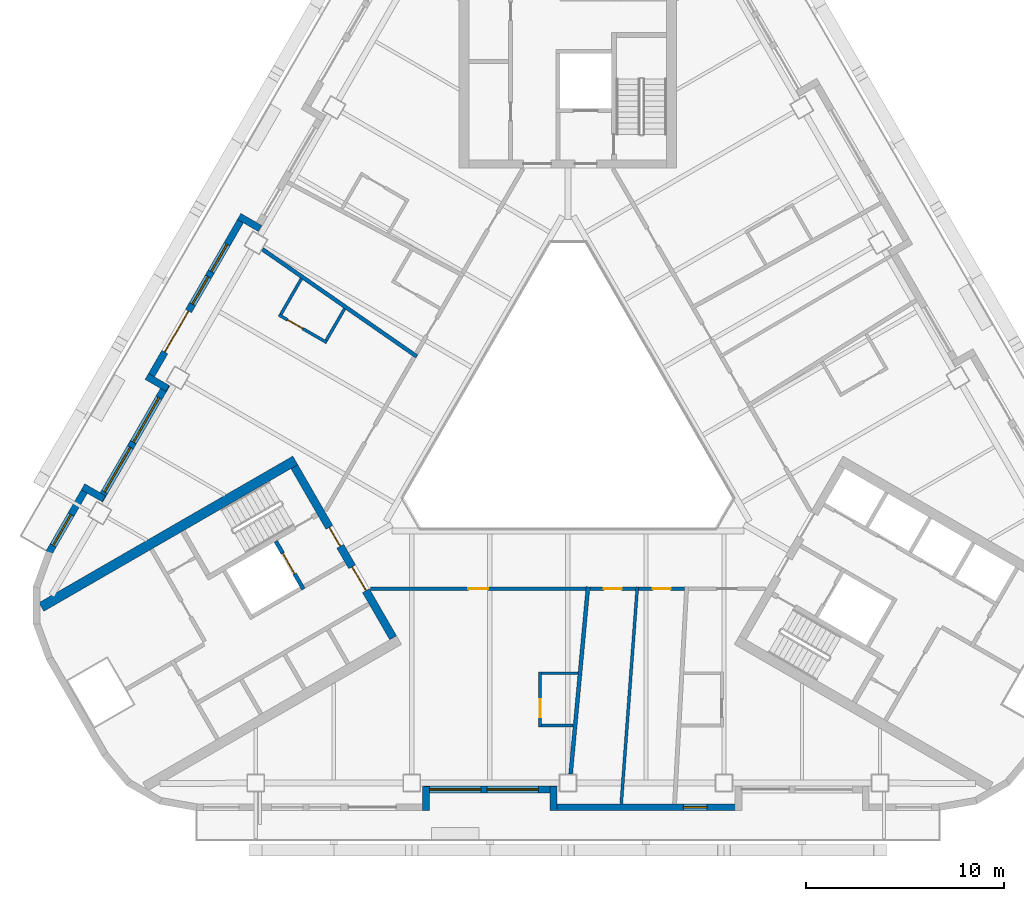
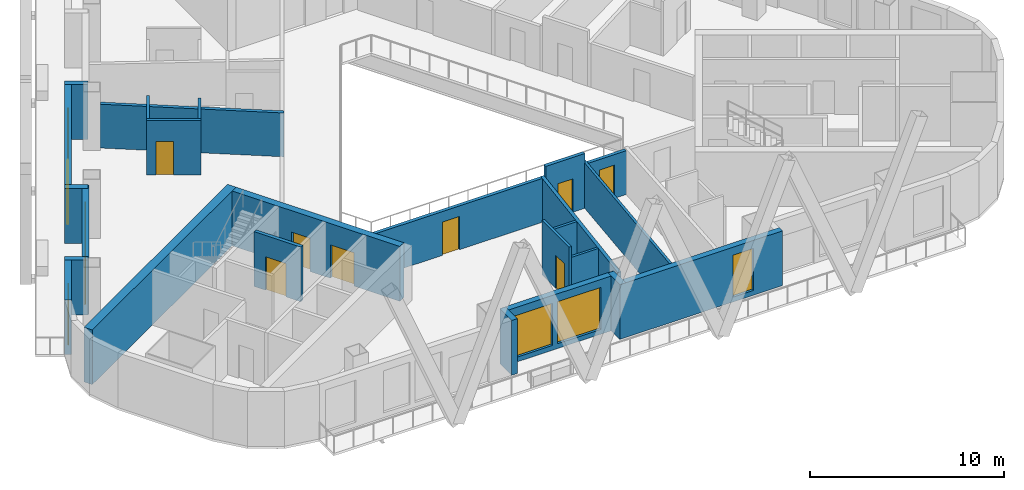
# One storey, part 3 of 13: 25 walls, 9 doors, 8 windows, 17 openings.
"""IFC4 building model written with IfcOpenShell, lengths in metres."""

from ifc_helpers import new_model, si_unit, direction, frame, frame_2d, origin, place, context, subcontext, project, spatial, rectangle, extrude, material, layer, layer_set, type_object, element, fill, save


model = new_model("IFC4")

# Units and contexts
model_context = context("Model", 3, precision=1e-05, world=origin(), true_north=direction((0.0, 1.0)))
body_context = subcontext(model_context, "Body", "Model", "MODEL_VIEW")
ifc_project = project(units=[si_unit("LENGTHUNIT", "METRE"), si_unit("AREAUNIT", "SQUARE_METRE"), si_unit("VOLUMEUNIT", "CUBIC_METRE"), si_unit("PLANEANGLEUNIT", "RADIAN"), si_unit("MASSUNIT", "GRAM", prefix="KILO")], contexts=[model_context])

# Site, building, storey
site_placement = place(None, origin())
site = spatial("IfcSite", under=ifc_project, at=site_placement, CompositionType="ELEMENT")
building_placement = place(site_placement, origin())
building = spatial("IfcBuilding", under=site, at=building_placement, Name="Apuvela Tower Hotel", CompositionType="ELEMENT")
storey_placement = place(building_placement, frame((0.0, 0.0, 127.89990234375)))
storey = spatial("IfcBuildingStorey", under=building, at=storey_placement, Name="L30", CompositionType="ELEMENT", Elevation=127.89990234375)

# Wall, openings, doors
ifc_material_1 = material(Name="Concrete C50/60", Category="concrete")
ifc_layer_1 = layer(ifc_material_1, 0.39990234375)
ifc_layer_set_1 = layer_set([ifc_layer_1], Name="COR-WALL-CORE-400")
wall_type_1 = type_object("IfcWallType", Name="COR-WALL-CORE-400", PredefinedType="SHEAR", material=ifc_layer_set_1)
wall_1_placement = place(storey_placement, frame((-13.844970703125, -2.219970703125, 0.0), z_axis=(0.0, 0.0, 1.0), x_axis=(0.500004234368, -0.866022959057, 0.0)))
wall_1 = element("IfcWall", 1, at=wall_1_placement, inside=storey, type_object=wall_type_1, Name="Core wall SW", PredefinedType="SHEAR", context=body_context, shape_type="SweptSolid", body=[
    extrude(rectangle(XDim=10.0, YDim=0.39990234375, at=frame_2d((5.0, 0.0))), origin(), (0.0, 0.0, 1.0), 3.4501953125),
])
opening_1_placement = place(wall_1_placement, frame((3.550048828125, 0.0, 0.0)))
opening_1 = element("IfcOpeningElement", 2, at=opening_1_placement, cuts=wall_1, Name="Opening W-FD", PredefinedType="OPENING", context=body_context, shape_type="SweptSolid", body=[
    extrude(rectangle(XDim=1.10009765625, YDim=2.10009765625, at=frame_2d((0.550048828125, 1.050048828125))), frame((0.0, 0.2099609375, 0.0), z_axis=(0.0, -1.0, 0.0), x_axis=(1.0, 0.0, 0.0)), (0.0, 0.0, 1.0), 0.419921875),
])
opening_2_placement = place(wall_1_placement, frame((5.85009765625, 0.0, 0.0)))
opening_2 = element("IfcOpeningElement", 3, at=opening_2_placement, cuts=wall_1, Name="Opening W-GD", PredefinedType="OPENING", context=body_context, shape_type="SweptSolid", body=[
    extrude(rectangle(XDim=1.39990234375, YDim=2.10009765625, at=frame_2d((0.699951171875, 1.050048828125))), frame((0.0, 0.2099609375, 0.0), z_axis=(0.0, -1.0, 0.0), x_axis=(1.0, 0.0, 0.0)), (0.0, 0.0, 1.0), 0.419921875),
])
ifc_material_2 = material(Name="Steel fire door, powder coated", Category="steel")
door_type_1 = type_object("IfcDoorType", Name="COR-FD-1100", OperationType="NOTDEFINED", PredefinedType="DOOR", material=ifc_material_2)
door_1_placement = place(opening_1_placement, frame((1.10009765625, 0.0, 0.0), z_axis=(0.0, 0.0, 1.0), x_axis=(-1.0, 0.0, 0.0)))
door_1 = element("IfcDoor", 4, at=door_1_placement, inside=storey, type_object=door_type_1, Name="Firefighting lobby door W-FD", OperationType="SINGLE_SWING_LEFT", OverallHeight=2.10009765625, OverallWidth=1.10009765625, PredefinedType="DOOR", context=body_context, shape_type="SweptSolid", body=[
    extrude(rectangle(XDim=1.10009765625, YDim=2.10009765625, at=frame_2d((0.550048828125, 1.050048828125))), frame((0.0, 0.02490234375, 0.0), z_axis=(0.0, -1.0, 0.0), x_axis=(1.0, 0.0, 0.0)), (0.0, 0.0, 1.0), 0.050048828125),
])
fill(opening_1, door_1)
ifc_material_3 = material(Name="Glazed steel fire door", Category="steel")
door_type_2 = type_object("IfcDoorType", Name="COR-GD-1400", OperationType="DOUBLE_DOOR_SINGLE_SWING", PredefinedType="DOOR", material=ifc_material_3)
door_2_placement = place(opening_2_placement, frame((1.39990234375, 0.0, 0.0), z_axis=(0.0, 0.0, 1.0), x_axis=(-1.0, 0.0, 0.0)))
door_2 = element("IfcDoor", 5, at=door_2_placement, inside=storey, type_object=door_type_2, Name="Lift lobby door W-GD", OperationType="DOUBLE_DOOR_SINGLE_SWING", OverallHeight=2.10009765625, OverallWidth=1.39990234375, PredefinedType="DOOR", context=body_context, shape_type="SweptSolid", body=[
    extrude(rectangle(XDim=1.39990234375, YDim=2.10009765625, at=frame_2d((0.699951171875, 1.050048828125))), frame((0.0, 0.02490234375, 0.0), z_axis=(0.0, -1.0, 0.0), x_axis=(1.0, 0.0, 0.0)), (0.0, 0.0, 1.0), 0.050048828125),
])
fill(opening_2, door_2)

# Wall
ifc_layer_2 = layer(ifc_material_1, 0.5)
ifc_layer_set_2 = layer_set([ifc_layer_2], Name="COR-WALL-CORE-500")
wall_type_2 = type_object("IfcWallType", Name="COR-WALL-CORE-500", PredefinedType="SHEAR", material=ifc_layer_set_2)
wall_2_placement = place(storey_placement, frame((-13.796630859375, -1.9033203125, 0.0), z_axis=(0.0, 0.0, 1.0), x_axis=(-0.866025009528, -0.500000682871, 0.0)))
element("IfcWall", 6, at=wall_2_placement, inside=storey, type_object=wall_type_2, Name="Core wall SW", PredefinedType="SHEAR", context=body_context, shape_type="SweptSolid", body=[
    extrude(rectangle(XDim=14.8369140625, YDim=0.5, at=frame_2d((7.41845703125, 0.0))), origin(), (0.0, 0.0, 1.0), 3.4501953125),
])

# Wall, opening, door
ifc_layer_3 = layer(ifc_material_1, 0.199951171875)
ifc_layer_set_3 = layer_set([ifc_layer_3], Name="COR-WALL-SHAFT-200")
wall_type_3 = type_object("IfcWallType", Name="COR-WALL-SHAFT-200", PredefinedType="SHEAR", material=ifc_layer_set_3)
wall_3_placement = place(storey_placement, frame((-14.783203125, -5.99462890625, 0.0), z_axis=(0.0, 0.0, 1.0), x_axis=(0.49994636267, -0.866056369097, 0.0)))
wall_3 = element("IfcWall", 7, at=wall_3_placement, inside=storey, type_object=wall_type_3, Name="Shaft wall SW", PredefinedType="SHEAR", context=body_context, shape_type="SweptSolid", body=[
    extrude(rectangle(XDim=2.800048828125, YDim=0.199951171875, at=frame_2d((1.39990234375, 0.0))), origin(), (0.0, 0.0, 1.0), 3.4501953125),
])
opening_3_placement = place(wall_3_placement, frame((0.699951171875, 0.0, 0.0)))
opening_3 = element("IfcOpeningElement", 8, at=opening_3_placement, cuts=wall_3, Name="Opening W-LD-FS2", PredefinedType="OPENING", context=body_context, shape_type="SweptSolid", body=[
    extrude(rectangle(XDim=1.199951171875, YDim=2.10009765625, at=frame_2d((0.60009765625, 1.050048828125))), frame((0.0, 0.10986328125, 0.0), z_axis=(0.0, -1.0, 0.0), x_axis=(1.0, 0.0, 0.0)), (0.0, 0.0, 1.0), 0.219970703125),
])
ifc_material_4 = material(Name="Stainless steel lift landing door", Category="steel")
door_type_3 = type_object("IfcDoorType", Name="COR-LD-1200", OperationType="DOUBLE_DOOR_SLIDING", PredefinedType="DOOR", material=ifc_material_4)
door_3_placement = place(opening_3_placement, origin())
door_3 = element("IfcDoor", 9, at=door_3_placement, inside=storey, type_object=door_type_3, Name="Lift landing door W-LD-FS2", OperationType="DOUBLE_DOOR_SLIDING", OverallHeight=2.10009765625, OverallWidth=1.199951171875, PredefinedType="DOOR", context=body_context, shape_type="SweptSolid", body=[
    extrude(rectangle(XDim=1.199951171875, YDim=2.10009765625, at=frame_2d((0.60009765625, 1.050048828125))), frame((0.0, 0.02490234375, 0.0), z_axis=(0.0, -1.0, 0.0), x_axis=(1.0, 0.0, 0.0)), (0.0, 0.0, 1.0), 0.050048828125),
])
fill(opening_3, door_3)

# Wall
ifc_material_5 = material(Name="Concrete C40/50, dark pigmented precast panel", Category="concrete")
ifc_layer_4 = layer(ifc_material_5, 0.35009765625)
ifc_layer_set_4 = layer_set([ifc_layer_4], Name="ENV-WALL-350")
wall_type_4 = type_object("IfcWallType", Name="ENV-WALL-350", PredefinedType="SOLIDWALL", material=ifc_layer_set_4)
wall_4_placement = place(storey_placement, frame((-15.580810546875, 9.8330078125, 0.0), z_axis=(0.0, 0.0, 1.0), x_axis=(-0.866055662726, 0.499947586314, 0.0)))
element("IfcWall", 10, at=wall_4_placement, inside=storey, type_object=wall_type_4, Name="External wall L30-04", PredefinedType="SOLIDWALL", context=body_context, shape_type="SweptSolid", body=[
    extrude(rectangle(XDim=1.220458984375, YDim=0.35009765625, at=frame_2d((0.6103515625, 0.0))), origin(), (0.0, 0.0, 1.0), 3.4501953125),
])

# Wall, openings, door, windows
wall_5_placement = place(storey_placement, frame((-16.3984375, 10.507080078125, 0.0), z_axis=(0.0, 0.0, 1.0), x_axis=(-0.499999142773, -0.866025898704, 0.0)))
wall_5 = element("IfcWall", 11, at=wall_5_placement, inside=storey, type_object=wall_type_4, Name="External wall L30-05", PredefinedType="SOLIDWALL", context=body_context, shape_type="SweptSolid", body=[
    extrude(rectangle(XDim=9.7001953125, YDim=0.35009765625, at=frame_2d((4.85009765625, 0.0))), origin(), (0.0, 0.0, 1.0), 3.4501953125),
])
opening_4_placement = place(wall_5_placement, frame((5.599853515625, 0.0, 0.0)))
opening_4 = element("IfcOpeningElement", 12, at=opening_4_placement, cuts=wall_5, Name="Opening BD24", PredefinedType="OPENING", context=body_context, shape_type="SweptSolid", body=[
    extrude(rectangle(XDim=2.39990234375, YDim=2.39990234375, at=frame_2d((1.199951171875, 1.199951171875))), frame((0.0, 0.18505859375, 0.0), z_axis=(0.0, -1.0, 0.0), x_axis=(1.0, 0.0, 0.0)), (0.0, 0.0, 1.0), 0.3701171875),
])
opening_5_placement = place(wall_5_placement, frame((1.7001953125, 0.0, 0.300048828125)))
opening_5 = element("IfcOpeningElement", 13, at=opening_5_placement, cuts=wall_5, Name="Opening WN16", PredefinedType="OPENING", context=body_context, shape_type="SweptSolid", body=[
    extrude(rectangle(XDim=1.60009765625, YDim=2.64990234375, at=frame_2d((0.800048828125, 1.324951171875))), frame((0.0, 0.18505859375, 0.0), z_axis=(0.0, -1.0, 0.0), x_axis=(1.0, 0.0, 0.0)), (0.0, 0.0, 1.0), 0.3701171875),
])
opening_6_placement = place(wall_5_placement, frame((3.600341796875, 0.0, 0.300048828125)))
opening_6 = element("IfcOpeningElement", 14, at=opening_6_placement, cuts=wall_5, Name="Opening WN16", PredefinedType="OPENING", context=body_context, shape_type="SweptSolid", body=[
    extrude(rectangle(XDim=1.60009765625, YDim=2.64990234375, at=frame_2d((0.800048828125, 1.324951171875))), frame((0.0, 0.18505859375, 0.0), z_axis=(0.0, -1.0, 0.0), x_axis=(1.0, 0.0, 0.0)), (0.0, 0.0, 1.0), 0.3701171875),
])
ifc_material_6 = material(Name="Aluminium 6063-T6, dark bronze anodised frame with dark tinted laminated glass", Category="aluminium")
door_type_4 = type_object("IfcDoorType", Name="ENV-DOOR-BALCONY-2400x2400", OperationType="SLIDING_TO_LEFT", PredefinedType="DOOR", material=ifc_material_6)
door_4_placement = place(opening_4_placement, frame((2.39990234375, 0.0, 0.0), z_axis=(0.0, 0.0, 1.0), x_axis=(-1.0, 0.0, 0.0)))
door_4 = element("IfcDoor", 15, at=door_4_placement, inside=storey, type_object=door_type_4, Name="Balcony door BD24", OperationType="SLIDING_TO_LEFT", OverallHeight=2.39990234375, OverallWidth=2.39990234375, PredefinedType="DOOR", context=body_context, shape_type="SweptSolid", body=[
    extrude(rectangle(XDim=2.39990234375, YDim=2.39990234375, at=frame_2d((1.199951171875, 1.199951171875))), frame((0.0, 0.02490234375, 0.0), z_axis=(0.0, -1.0, 0.0), x_axis=(1.0, 0.0, 0.0)), (0.0, 0.0, 1.0), 0.050048828125),
])
fill(opening_4, door_4)
ifc_material_7 = material(Name="Glass, dark tinted laminated insulated glazing unit", Category="glass")
window_type_1 = type_object("IfcWindowType", Name="ENV-WIN-1600x2650", PartitioningType="SINGLE_PANEL", PredefinedType="WINDOW", material=ifc_material_7)
window_1_placement = place(opening_5_placement, origin())
window_1 = element("IfcWindow", 16, at=window_1_placement, inside=storey, type_object=window_type_1, Name="Window WN16", OverallHeight=2.64990234375, OverallWidth=1.60009765625, PartitioningType="SINGLE_PANEL", PredefinedType="WINDOW", context=body_context, shape_type="SweptSolid", body=[
    extrude(rectangle(XDim=1.60009765625, YDim=2.64990234375, at=frame_2d((0.800048828125, 1.324951171875))), frame((0.0, 0.030029296875, 0.0), z_axis=(0.0, -1.0, 0.0), x_axis=(1.0, 0.0, 0.0)), (0.0, 0.0, 1.0), 0.06005859375),
])
fill(opening_5, window_1)
window_2_placement = place(opening_6_placement, origin())
window_2 = element("IfcWindow", 17, at=window_2_placement, inside=storey, type_object=window_type_1, Name="Window WN16", OverallHeight=2.64990234375, OverallWidth=1.60009765625, PartitioningType="SINGLE_PANEL", PredefinedType="WINDOW", context=body_context, shape_type="SweptSolid", body=[
    extrude(rectangle(XDim=1.60009765625, YDim=2.64990234375, at=frame_2d((0.800048828125, 1.324951171875))), frame((0.0, 0.030029296875, 0.0), z_axis=(0.0, -1.0, 0.0), x_axis=(1.0, 0.0, 0.0)), (0.0, 0.0, 1.0), 0.06005859375),
])
fill(opening_6, window_2)

# Wall
wall_6_placement = place(storey_placement, frame((-21.3125, 2.345703125, 0.0), z_axis=(0.0, 0.0, 1.0), x_axis=(0.866005645448, -0.500034220881, 0.0)))
element("IfcWall", 18, at=wall_6_placement, inside=storey, type_object=wall_type_4, Name="External wall L30-06", PredefinedType="SOLIDWALL", context=body_context, shape_type="SweptSolid", body=[
    extrude(rectangle(XDim=1.22021484375, YDim=0.35009765625, at=frame_2d((0.610107421875, 0.0))), origin(), (0.0, 0.0, 1.0), 3.4501953125),
])

# Wall, openings, windows
wall_7_placement = place(storey_placement, frame((-20.30908203125, 1.93359375, 0.0), z_axis=(0.0, 0.0, 1.0), x_axis=(-0.499992114976, -0.866029956157, 0.0)))
wall_7 = element("IfcWall", 19, at=wall_7_placement, inside=storey, type_object=wall_type_4, Name="External wall L30-07", PredefinedType="SOLIDWALL", context=body_context, shape_type="SweptSolid", body=[
    extrude(rectangle(XDim=6.73974609375, YDim=0.35009765625, at=frame_2d((3.369873046875, 0.0))), origin(), (0.0, 0.0, 1.0), 3.4501953125),
])
opening_7_placement = place(wall_7_placement, frame((0.77001953125, 0.0, 0.300048828125)))
opening_7 = element("IfcOpeningElement", 20, at=opening_7_placement, cuts=wall_7, Name="Opening WN26", PredefinedType="OPENING", context=body_context, shape_type="SweptSolid", body=[
    extrude(rectangle(XDim=2.60009765625, YDim=2.64990234375, at=frame_2d((1.300048828125, 1.324951171875))), frame((0.0, 0.18505859375, 0.0), z_axis=(0.0, -1.0, 0.0), x_axis=(1.0, 0.0, 0.0)), (0.0, 0.0, 1.0), 0.3701171875),
])
opening_8_placement = place(wall_7_placement, frame((3.670166015625, 0.0, 0.300048828125)))
opening_8 = element("IfcOpeningElement", 21, at=opening_8_placement, cuts=wall_7, Name="Opening WN26", PredefinedType="OPENING", context=body_context, shape_type="SweptSolid", body=[
    extrude(rectangle(XDim=2.60009765625, YDim=2.64990234375, at=frame_2d((1.300048828125, 1.324951171875))), frame((0.0, 0.18505859375, 0.0), z_axis=(0.0, -1.0, 0.0), x_axis=(1.0, 0.0, 0.0)), (0.0, 0.0, 1.0), 0.3701171875),
])
window_type_2 = type_object("IfcWindowType", Name="ENV-WIN-2600x2650", PartitioningType="SINGLE_PANEL", PredefinedType="WINDOW", material=ifc_material_7)
window_3_placement = place(opening_7_placement, origin())
window_3 = element("IfcWindow", 22, at=window_3_placement, inside=storey, type_object=window_type_2, Name="Window WN26", OverallHeight=2.64990234375, OverallWidth=2.60009765625, PartitioningType="SINGLE_PANEL", PredefinedType="WINDOW", context=body_context, shape_type="SweptSolid", body=[
    extrude(rectangle(XDim=2.60009765625, YDim=2.64990234375, at=frame_2d((1.300048828125, 1.324951171875))), frame((0.0, 0.030029296875, 0.0), z_axis=(0.0, -1.0, 0.0), x_axis=(1.0, 0.0, 0.0)), (0.0, 0.0, 1.0), 0.06005859375),
])
fill(opening_7, window_3)
window_4_placement = place(opening_8_placement, origin())
window_4 = element("IfcWindow", 23, at=window_4_placement, inside=storey, type_object=window_type_2, Name="Window WN26", OverallHeight=2.64990234375, OverallWidth=2.60009765625, PartitioningType="SINGLE_PANEL", PredefinedType="WINDOW", context=body_context, shape_type="SweptSolid", body=[
    extrude(rectangle(XDim=2.60009765625, YDim=2.64990234375, at=frame_2d((1.300048828125, 1.324951171875))), frame((0.0, 0.030029296875, 0.0), z_axis=(0.0, -1.0, 0.0), x_axis=(1.0, 0.0, 0.0)), (0.0, 0.0, 1.0), 0.06005859375),
])
fill(opening_8, window_4)

# Wall
wall_8_placement = place(storey_placement, frame((-23.48095703125, -3.85009765625, 0.0), z_axis=(0.0, 0.0, 1.0), x_axis=(-0.866092288191, 0.499884134912, 0.0)))
element("IfcWall", 24, at=wall_8_placement, inside=storey, type_object=wall_type_4, Name="External wall L30-08", PredefinedType="SOLIDWALL", context=body_context, shape_type="SweptSolid", body=[
    extrude(rectangle(XDim=1.219970703125, YDim=0.35009765625, at=frame_2d((0.60986328125, 0.0))), origin(), (0.0, 0.0, 1.0), 3.4501953125),
])

# Wall, opening, window
wall_9_placement = place(storey_placement, frame((-24.298583984375, -3.17626953125, 0.0), z_axis=(0.0, 0.0, 1.0), x_axis=(-0.500028278809, -0.866009076391, 0.0)))
wall_9 = element("IfcWall", 25, at=wall_9_placement, inside=storey, type_object=wall_type_4, Name="External wall L30-09", PredefinedType="SOLIDWALL", context=body_context, shape_type="SweptSolid", body=[
    extrude(rectangle(XDim=3.915771484375, YDim=0.35009765625, at=frame_2d((1.9580078125, 0.0))), origin(), (0.0, 0.0, 1.0), 3.4501953125),
])
opening_9_placement = place(wall_9_placement, frame((1.699951171875, 0.0, 0.300048828125)))
opening_9 = element("IfcOpeningElement", 26, at=opening_9_placement, cuts=wall_9, Name="Opening WN18", PredefinedType="OPENING", context=body_context, shape_type="SweptSolid", body=[
    extrude(rectangle(XDim=1.800048828125, YDim=2.64990234375, at=frame_2d((0.89990234375, 1.324951171875))), frame((0.0, 0.18505859375, 0.0), z_axis=(0.0, -1.0, 0.0), x_axis=(1.0, 0.0, 0.0)), (0.0, 0.0, 1.0), 0.3701171875),
])
window_type_3 = type_object("IfcWindowType", Name="ENV-WIN-1800x2650", PartitioningType="SINGLE_PANEL", PredefinedType="WINDOW", material=ifc_material_7)
window_5_placement = place(opening_9_placement, origin())
window_5 = element("IfcWindow", 27, at=window_5_placement, inside=storey, type_object=window_type_3, Name="Window WN18", OverallHeight=2.64990234375, OverallWidth=1.800048828125, PartitioningType="SINGLE_PANEL", PredefinedType="WINDOW", context=body_context, shape_type="SweptSolid", body=[
    extrude(rectangle(XDim=1.800048828125, YDim=2.64990234375, at=frame_2d((0.89990234375, 1.324951171875))), frame((0.0, 0.030029296875, 0.0), z_axis=(0.0, -1.0, 0.0), x_axis=(1.0, 0.0, 0.0)), (0.0, 0.0, 1.0), 0.06005859375),
])
fill(opening_9, window_5)

# Wall
wall_10_placement = place(storey_placement, frame((-7.175048828125, -19.6298828125, 0.0), z_axis=(0.0, 0.0, 1.0), x_axis=(0.0, 1.0, 0.0)))
element("IfcWall", 28, at=wall_10_placement, inside=storey, type_object=wall_type_4, Name="External wall L30-18", PredefinedType="SOLIDWALL", context=body_context, shape_type="SweptSolid", body=[
    extrude(rectangle(XDim=1.219970703125, YDim=0.35009765625, at=frame_2d((0.60986328125, 0.0))), origin(), (0.0, 0.0, 1.0), 3.4501953125),
])

# Wall, openings, windows
wall_11_placement = place(storey_placement, frame((-7.320068359375, -18.554931640625, 0.0), z_axis=(0.0, 0.0, 1.0), x_axis=(1.0, 0.0, 0.0)))
wall_11 = element("IfcWall", 29, at=wall_11_placement, inside=storey, type_object=wall_type_4, Name="External wall L30-19", PredefinedType="SOLIDWALL", context=body_context, shape_type="SweptSolid", body=[
    extrude(rectangle(XDim=6.739990234375, YDim=0.35009765625, at=frame_2d((3.3701171875, 0.0))), origin(), (0.0, 0.0, 1.0), 3.4501953125),
])
opening_10_placement = place(wall_11_placement, frame((0.3203125, 0.0, 0.300048828125)))
opening_10 = element("IfcOpeningElement", 30, at=opening_10_placement, cuts=wall_11, Name="Opening WN26", PredefinedType="OPENING", context=body_context, shape_type="SweptSolid", body=[
    extrude(rectangle(XDim=2.60009765625, YDim=2.64990234375, at=frame_2d((1.300048828125, 1.324951171875))), frame((0.0, 0.18505859375, 0.0), z_axis=(0.0, -1.0, 0.0), x_axis=(1.0, 0.0, 0.0)), (0.0, 0.0, 1.0), 0.3701171875),
])
opening_11_placement = place(wall_11_placement, frame((3.220458984375, 0.0, 0.300048828125)))
opening_11 = element("IfcOpeningElement", 31, at=opening_11_placement, cuts=wall_11, Name="Opening WN26", PredefinedType="OPENING", context=body_context, shape_type="SweptSolid", body=[
    extrude(rectangle(XDim=2.60009765625, YDim=2.64990234375, at=frame_2d((1.300048828125, 1.324951171875))), frame((0.0, 0.18505859375, 0.0), z_axis=(0.0, -1.0, 0.0), x_axis=(1.0, 0.0, 0.0)), (0.0, 0.0, 1.0), 0.3701171875),
])
window_6_placement = place(opening_10_placement, origin())
window_6 = element("IfcWindow", 32, at=window_6_placement, inside=storey, type_object=window_type_2, Name="Window WN26", OverallHeight=2.64990234375, OverallWidth=2.60009765625, PartitioningType="SINGLE_PANEL", PredefinedType="WINDOW", context=body_context, shape_type="SweptSolid", body=[
    extrude(rectangle(XDim=2.60009765625, YDim=2.64990234375, at=frame_2d((1.300048828125, 1.324951171875))), frame((0.0, 0.030029296875, 0.0), z_axis=(0.0, -1.0, 0.0), x_axis=(1.0, 0.0, 0.0)), (0.0, 0.0, 1.0), 0.06005859375),
])
fill(opening_10, window_6)
window_7_placement = place(opening_11_placement, origin())
window_7 = element("IfcWindow", 33, at=window_7_placement, inside=storey, type_object=window_type_2, Name="Window WN26", OverallHeight=2.64990234375, OverallWidth=2.60009765625, PartitioningType="SINGLE_PANEL", PredefinedType="WINDOW", context=body_context, shape_type="SweptSolid", body=[
    extrude(rectangle(XDim=2.60009765625, YDim=2.64990234375, at=frame_2d((1.300048828125, 1.324951171875))), frame((0.0, 0.030029296875, 0.0), z_axis=(0.0, -1.0, 0.0), x_axis=(1.0, 0.0, 0.0)), (0.0, 0.0, 1.0), 0.06005859375),
])
fill(opening_11, window_7)

# Wall
wall_12_placement = place(storey_placement, frame((-0.72509765625, -18.409912109375, 0.0), z_axis=(0.0, 0.0, 1.0), x_axis=(0.0, -1.0, 0.0)))
element("IfcWall", 34, at=wall_12_placement, inside=storey, type_object=wall_type_4, Name="External wall L30-20", PredefinedType="SOLIDWALL", context=body_context, shape_type="SweptSolid", body=[
    extrude(rectangle(XDim=1.219970703125, YDim=0.35009765625, at=frame_2d((0.60986328125, 0.0))), origin(), (0.0, 0.0, 1.0), 3.4501953125),
])

# Wall, opening, window
wall_13_placement = place(storey_placement, frame((-0.89990234375, -19.455078125, 0.0), z_axis=(0.0, 0.0, 1.0), x_axis=(1.0, 0.0, 0.0)))
wall_13 = element("IfcWall", 35, at=wall_13_placement, inside=storey, type_object=wall_type_4, Name="External wall L30-21", PredefinedType="SOLIDWALL", context=body_context, shape_type="SweptSolid", body=[
    extrude(rectangle(XDim=9.699951171875, YDim=0.35009765625, at=frame_2d((4.85009765625, 0.0))), origin(), (0.0, 0.0, 1.0), 3.4501953125),
])
opening_12_placement = place(wall_13_placement, frame((6.75, 0.0, 0.300048828125)))
opening_12 = element("IfcOpeningElement", 36, at=opening_12_placement, cuts=wall_13, Name="Opening WN12", PredefinedType="OPENING", context=body_context, shape_type="SweptSolid", body=[
    extrude(rectangle(XDim=1.199951171875, YDim=2.64990234375, at=frame_2d((0.60009765625, 1.324951171875))), frame((0.0, 0.18505859375, 0.0), z_axis=(0.0, -1.0, 0.0), x_axis=(1.0, 0.0, 0.0)), (0.0, 0.0, 1.0), 0.3701171875),
])
window_type_4 = type_object("IfcWindowType", Name="ENV-WIN-1200x2650", PartitioningType="SINGLE_PANEL", PredefinedType="WINDOW", material=ifc_material_7)
window_8_placement = place(opening_12_placement, origin())
window_8 = element("IfcWindow", 37, at=window_8_placement, inside=storey, type_object=window_type_4, Name="Window WN12", OverallHeight=2.64990234375, OverallWidth=1.199951171875, PartitioningType="SINGLE_PANEL", PredefinedType="WINDOW", context=body_context, shape_type="SweptSolid", body=[
    extrude(rectangle(XDim=1.199951171875, YDim=2.64990234375, at=frame_2d((0.60009765625, 1.324951171875))), frame((0.0, 0.030029296875, 0.0), z_axis=(0.0, -1.0, 0.0), x_axis=(1.0, 0.0, 0.0)), (0.0, 0.0, 1.0), 0.06005859375),
])
fill(opening_12, window_8)

# Walls
ifc_material_8 = material(Name="Gypsum board partition on twin steel stud", Category="steel")
ifc_layer_5 = layer(ifc_material_8, 0.199951171875)
ifc_layer_set_5 = layer_set([ifc_layer_5], Name="GST-PW1")
wall_type_5 = type_object("IfcWallType", Name="GST-PW1", PredefinedType="PARTITIONING", material=ifc_layer_set_5)
wall_14_placement = place(storey_placement, frame((0.13916015625, -17.780029296875, 0.0), z_axis=(0.0, 0.0, 1.0), x_axis=(0.092366768961, 0.995725052407, 0.0)))
element("IfcWall", 38, at=wall_14_placement, inside=storey, type_object=wall_type_5, Name="L30 partition 01", PredefinedType="PARTITIONING", context=body_context, shape_type="SweptSolid", body=[
    extrude(rectangle(XDim=9.520751953125, YDim=0.199951171875, at=frame_2d((4.76025390625, 0.0))), origin(), (0.0, 0.0, 1.0), 2.760009765625),
])
wall_15_placement = place(storey_placement, frame((-15.46044921875, 8.781494140625, 0.0), z_axis=(0.0, 0.0, 1.0), x_axis=(0.82142273434, -0.570319815113, 0.0)))
element("IfcWall", 39, at=wall_15_placement, inside=storey, type_object=wall_type_5, Name="L30 partition 06", PredefinedType="PARTITIONING", context=body_context, shape_type="SweptSolid", body=[
    extrude(rectangle(XDim=9.5126953125, YDim=0.199951171875, at=frame_2d((4.75634765625, 0.0))), origin(), (0.0, 0.0, 1.0), 2.760009765625),
])

# Wall, opening, door
ifc_material_9 = material(Name="Gypsum board corridor wall on twin steel stud, acoustic", Category="steel")
ifc_layer_6 = layer(ifc_material_9, 0.199951171875)
ifc_layer_set_6 = layer_set([ifc_layer_6], Name="GST-PW2")
wall_type_6 = type_object("IfcWallType", Name="GST-PW2", PredefinedType="PARTITIONING", material=ifc_layer_set_6)
wall_16_placement = place(storey_placement, frame((0.90869140625, -8.39990234375, 0.0), z_axis=(0.0, 0.0, 1.0), x_axis=(-1.0, 0.0, 0.0)))
wall_16 = element("IfcWall", 40, at=wall_16_placement, inside=storey, type_object=wall_type_6, Name="L30 partition 07", PredefinedType="PARTITIONING", context=body_context, shape_type="SweptSolid", body=[
    extrude(rectangle(XDim=10.89697265625, YDim=0.199951171875, at=frame_2d((5.448486328125, 0.0))), origin(), (0.0, 0.0, 1.0), 2.760009765625),
])
opening_13_placement = place(wall_16_placement, frame((4.948486328125, 0.0, 0.0)))
opening_13 = element("IfcOpeningElement", 41, at=opening_13_placement, cuts=wall_16, Name="Opening GD11-02", PredefinedType="OPENING", context=body_context, shape_type="SweptSolid", body=[
    extrude(rectangle(XDim=1.0, YDim=2.10009765625, at=frame_2d((0.5, 1.050048828125))), frame((0.0, 0.10986328125, 0.0), z_axis=(0.0, -1.0, 0.0), x_axis=(1.0, 0.0, 0.0)), (0.0, 0.0, 1.0), 0.219970703125),
])
ifc_material_10 = material(Name="Timber door leaf in steel frame", Category="steel")
door_type_5 = type_object("IfcDoorType", Name="GST-D1", OperationType="NOTDEFINED", PredefinedType="DOOR", material=ifc_material_10)
door_5_placement = place(opening_13_placement, origin())
door_5 = element("IfcDoor", 42, at=door_5_placement, inside=storey, type_object=door_type_5, Name="Door L30-02", OperationType="SINGLE_SWING_LEFT", OverallHeight=2.10009765625, OverallWidth=1.0, PredefinedType="DOOR", context=body_context, shape_type="SweptSolid", body=[
    extrude(rectangle(XDim=1.0, YDim=2.10009765625, at=frame_2d((0.5, 1.050048828125))), frame((0.0, 0.02490234375, 0.0), z_axis=(0.0, -1.0, 0.0), x_axis=(1.0, 0.0, 0.0)), (0.0, 0.0, 1.0), 0.050048828125),
])
fill(opening_13, door_5)

wall_17_placement = place(storey_placement, frame((3.432373046875, -8.39990234375, 0.0), z_axis=(0.0, 0.0, 1.0), x_axis=(-1.0, 0.0, 0.0)))
wall_17 = element("IfcWall", 43, at=wall_17_placement, inside=storey, type_object=wall_type_6, Name="L30 partition 12", PredefinedType="PARTITIONING", context=body_context, shape_type="SweptSolid", body=[
    extrude(rectangle(XDim=2.32275390625, YDim=0.199951171875, at=frame_2d((1.161376953125, 0.0))), origin(), (0.0, 0.0, 1.0), 3.4501953125),
])
opening_14_placement = place(wall_17_placement, frame((0.711181640625, 0.0, 0.0)))
opening_14 = element("IfcOpeningElement", 44, at=opening_14_placement, cuts=wall_17, Name="Opening GD11-03", PredefinedType="OPENING", context=body_context, shape_type="SweptSolid", body=[
    extrude(rectangle(XDim=0.89990234375, YDim=2.10009765625, at=frame_2d((0.449951171875, 1.050048828125))), frame((0.0, 0.10986328125, 0.0), z_axis=(0.0, -1.0, 0.0), x_axis=(1.0, 0.0, 0.0)), (0.0, 0.0, 1.0), 0.219970703125),
])
door_type_6 = type_object("IfcDoorType", Name="GST-D2", OperationType="NOTDEFINED", PredefinedType="DOOR", material=ifc_material_10)
door_6_placement = place(opening_14_placement, origin())
door_6 = element("IfcDoor", 45, at=door_6_placement, inside=storey, type_object=door_type_6, Name="Door L30-03", OperationType="SINGLE_SWING_LEFT", OverallHeight=2.10009765625, OverallWidth=0.89990234375, PredefinedType="DOOR", context=body_context, shape_type="SweptSolid", body=[
    extrude(rectangle(XDim=0.89990234375, YDim=2.10009765625, at=frame_2d((0.449951171875, 1.050048828125))), frame((0.0, 0.02490234375, 0.0), z_axis=(0.0, -1.0, 0.0), x_axis=(1.0, 0.0, 0.0)), (0.0, 0.0, 1.0), 0.050048828125),
])
fill(opening_14, door_6)

wall_18_placement = place(storey_placement, frame((5.905517578125, -8.39990234375, 0.0), z_axis=(0.0, 0.0, 1.0), x_axis=(-1.0, 0.0, 0.0)))
wall_18 = element("IfcWall", 46, at=wall_18_placement, inside=storey, type_object=wall_type_6, Name="L30 partition 13", PredefinedType="PARTITIONING", context=body_context, shape_type="SweptSolid", body=[
    extrude(rectangle(XDim=2.322998046875, YDim=0.199951171875, at=frame_2d((1.16162109375, 0.0))), origin(), (0.0, 0.0, 1.0), 2.760009765625),
])
opening_15_placement = place(wall_18_placement, frame((0.71142578125, 0.0, 0.0)))
opening_15 = element("IfcOpeningElement", 47, at=opening_15_placement, cuts=wall_18, Name="Opening GD11-04", PredefinedType="OPENING", context=body_context, shape_type="SweptSolid", body=[
    extrude(rectangle(XDim=0.89990234375, YDim=2.10009765625, at=frame_2d((0.449951171875, 1.050048828125))), frame((0.0, 0.10986328125, 0.0), z_axis=(0.0, -1.0, 0.0), x_axis=(1.0, 0.0, 0.0)), (0.0, 0.0, 1.0), 0.219970703125),
])
door_7_placement = place(opening_15_placement, origin())
door_7 = element("IfcDoor", 48, at=door_7_placement, inside=storey, type_object=door_type_6, Name="Door L30-04", OperationType="SINGLE_SWING_RIGHT", OverallHeight=2.10009765625, OverallWidth=0.89990234375, PredefinedType="DOOR", context=body_context, shape_type="SweptSolid", body=[
    extrude(rectangle(XDim=0.89990234375, YDim=2.10009765625, at=frame_2d((0.449951171875, 1.050048828125))), frame((0.0, 0.02490234375, 0.0), z_axis=(0.0, -1.0, 0.0), x_axis=(1.0, 0.0, 0.0)), (0.0, 0.0, 1.0), 0.050048828125),
])
fill(opening_15, door_7)

ifc_material_11 = material(Name="Moisture-resistant gypsum board wet wall on steel stud", Category="steel")
ifc_layer_7 = layer(ifc_material_11, 0.14990234375)
ifc_layer_set_7 = layer_set([ifc_layer_7], Name="GST-PW3")
wall_type_7 = type_object("IfcWallType", Name="GST-PW3", PredefinedType="PARTITIONING", material=ifc_layer_set_7)
wall_19_placement = place(storey_placement, frame((-1.40576171875, -12.60009765625, 0.0), z_axis=(0.0, 0.0, 1.0), x_axis=(0.0, -1.0, 0.0)))
wall_19 = element("IfcWall", 49, at=wall_19_placement, inside=storey, type_object=wall_type_7, Name="L30 partition 08", PredefinedType="PARTITIONING", context=body_context, shape_type="SweptSolid", body=[
    extrude(rectangle(XDim=2.7998046875, YDim=0.14990234375, at=frame_2d((1.39990234375, 0.0))), origin(), (0.0, 0.0, 1.0), 3.4501953125),
])
opening_16_placement = place(wall_19_placement, frame((1.39990234375, 0.0, 0.0)))
opening_16 = element("IfcOpeningElement", 50, at=opening_16_placement, cuts=wall_19, Name="Opening GD11-01", PredefinedType="OPENING", context=body_context, shape_type="SweptSolid", body=[
    extrude(rectangle(XDim=0.89990234375, YDim=2.10009765625, at=frame_2d((0.449951171875, 1.050048828125))), frame((0.0, 0.0849609375, 0.0), z_axis=(0.0, -1.0, 0.0), x_axis=(1.0, 0.0, 0.0)), (0.0, 0.0, 1.0), 0.169921875),
])
door_8_placement = place(opening_16_placement, origin())
door_8 = element("IfcDoor", 51, at=door_8_placement, inside=storey, type_object=door_type_6, Name="Door L30-01", OperationType="SINGLE_SWING_RIGHT", OverallHeight=2.10009765625, OverallWidth=0.89990234375, PredefinedType="DOOR", context=body_context, shape_type="SweptSolid", body=[
    extrude(rectangle(XDim=0.89990234375, YDim=2.10009765625, at=frame_2d((0.449951171875, 1.050048828125))), frame((0.0, 0.02490234375, 0.0), z_axis=(0.0, -1.0, 0.0), x_axis=(1.0, 0.0, 0.0)), (0.0, 0.0, 1.0), 0.050048828125),
])
fill(opening_16, door_8)

# Walls
wall_20_placement = place(storey_placement, frame((-1.330810546875, -15.324951171875, 0.0), z_axis=(0.0, 0.0, 1.0), x_axis=(1.0, 0.0, 0.0)))
element("IfcWall", 52, at=wall_20_placement, inside=storey, type_object=wall_type_7, Name="L30 partition 09", PredefinedType="PARTITIONING", context=body_context, shape_type="SweptSolid", body=[
    extrude(rectangle(XDim=1.597412109375, YDim=0.14990234375, at=frame_2d((0.798828125, 0.0))), origin(), (0.0, 0.0, 1.0), 2.760009765625),
])
wall_21_placement = place(storey_placement, frame((-1.330810546875, -12.675048828125, 0.0), z_axis=(0.0, 0.0, 1.0), x_axis=(1.0, 0.0, 0.0)))
element("IfcWall", 53, at=wall_21_placement, inside=storey, type_object=wall_type_7, Name="L30 partition 10", PredefinedType="PARTITIONING", context=body_context, shape_type="SweptSolid", body=[
    extrude(rectangle(XDim=1.843017578125, YDim=0.14990234375, at=frame_2d((0.92138671875, 0.0))), origin(), (0.0, 0.0, 1.0), 2.760009765625),
])
wall_22_placement = place(storey_placement, frame((2.699951171875, -19.280029296875, 0.0), z_axis=(0.0, 0.0, 1.0), x_axis=(0.074017071658, 0.997256974457, 0.0)))
element("IfcWall", 54, at=wall_22_placement, inside=storey, type_object=wall_type_7, Name="L30 partition 11", PredefinedType="PARTITIONING", context=body_context, shape_type="SweptSolid", body=[
    extrude(rectangle(XDim=11.01025390625, YDim=0.14990234375, at=frame_2d((5.505126953125, 0.0))), origin(), (0.0, 0.0, 1.0), 2.860107421875),
])

# Wall, opening, door
wall_23_placement = place(storey_placement, frame((-14.62841796875, 5.462890625, 0.0), z_axis=(0.0, 0.0, 1.0), x_axis=(0.866056369097, -0.49994636267, 0.0)))
wall_23 = element("IfcWall", 55, at=wall_23_placement, inside=storey, type_object=wall_type_7, Name="L30 partition 37", PredefinedType="PARTITIONING", context=body_context, shape_type="SweptSolid", body=[
    extrude(rectangle(XDim=2.800048828125, YDim=0.14990234375, at=frame_2d((1.39990234375, 0.0))), origin(), (0.0, 0.0, 1.0), 3.4501953125),
])
opening_17_placement = place(wall_23_placement, frame((0.5, 0.0, 0.0)))
opening_17 = element("IfcOpeningElement", 56, at=opening_17_placement, cuts=wall_23, Name="Opening GD11-17", PredefinedType="OPENING", context=body_context, shape_type="SweptSolid", body=[
    extrude(rectangle(XDim=0.89990234375, YDim=2.10009765625, at=frame_2d((0.449951171875, 1.050048828125))), frame((0.0, 0.0849609375, 0.0), z_axis=(0.0, -1.0, 0.0), x_axis=(1.0, 0.0, 0.0)), (0.0, 0.0, 1.0), 0.169921875),
])
door_9_placement = place(opening_17_placement, origin())
door_9 = element("IfcDoor", 57, at=door_9_placement, inside=storey, type_object=door_type_6, Name="Door L30-17", OperationType="SINGLE_SWING_LEFT", OverallHeight=2.10009765625, OverallWidth=0.89990234375, PredefinedType="DOOR", context=body_context, shape_type="SweptSolid", body=[
    extrude(rectangle(XDim=0.89990234375, YDim=2.10009765625, at=frame_2d((0.449951171875, 1.050048828125))), frame((0.0, 0.02490234375, 0.0), z_axis=(0.0, -1.0, 0.0), x_axis=(1.0, 0.0, 0.0)), (0.0, 0.0, 1.0), 0.050048828125),
])
fill(opening_17, door_9)

# Walls
wall_24_placement = place(storey_placement, frame((-13.487060546875, 7.28955078125, 0.0), z_axis=(0.0, 0.0, 1.0), x_axis=(-0.500044586128, -0.865999660441, 0.0)))
element("IfcWall", 58, at=wall_24_placement, inside=storey, type_object=wall_type_7, Name="L30 partition 38", PredefinedType="PARTITIONING", context=body_context, shape_type="SweptSolid", body=[
    extrude(rectangle(XDim=2.077392578125, YDim=0.14990234375, at=frame_2d((1.03857421875, 0.0))), origin(), (0.0, 0.0, 1.0), 3.4501953125),
])
wall_25_placement = place(storey_placement, frame((-11.302734375, 5.77294921875, 0.0), z_axis=(0.0, 0.0, 1.0), x_axis=(-0.500071598593, -0.865984062371, 0.0)))
element("IfcWall", 59, at=wall_25_placement, inside=storey, type_object=wall_type_7, Name="L30 partition 39", PredefinedType="PARTITIONING", context=body_context, shape_type="SweptSolid", body=[
    extrude(rectangle(XDim=1.856201171875, YDim=0.14990234375, at=frame_2d((0.92822265625, 0.0))), origin(), (0.0, 0.0, 1.0), 3.4501953125),
])

save(model, "model.ifc")
